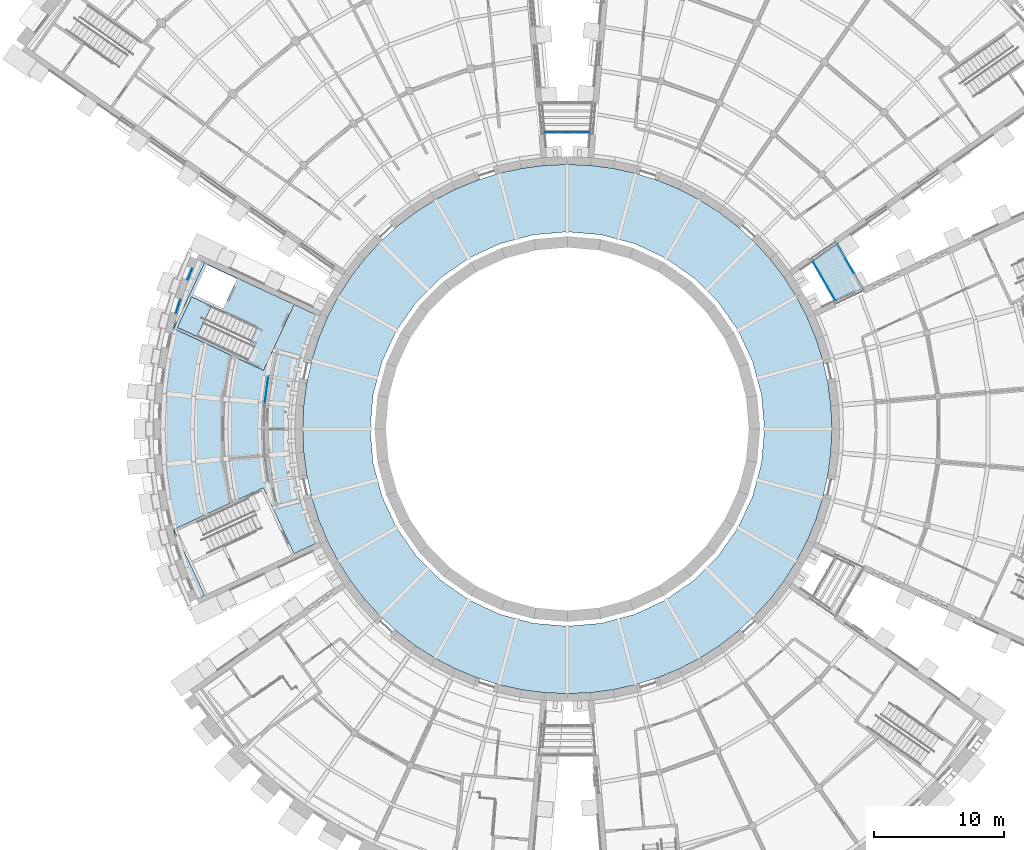
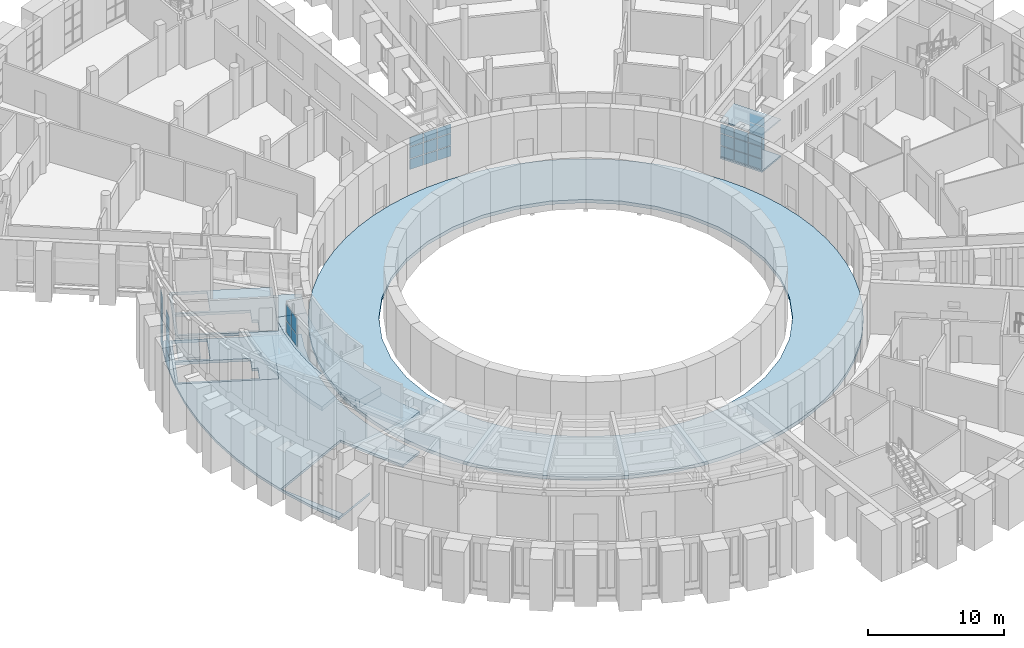
# One storey, part 31 of 66: 34 plates, 10 slabs, 7 elements without a shape of their own.
"""IFC4 building model written with IfcOpenShell, lengths in metres."""

from ifc_helpers import new_model, si_unit, direction, frame, origin, origin_2d, place, context, subcontext, project, spatial, polyline, rectangle, outline, extrude, material, layer, layer_set, type_object, element, aggregate, save


model = new_model("IFC4")

# Units and contexts
model_context = context("Model", 3, precision=1e-05, world=origin(), true_north=direction((0.0, 1.0)))
body_context = subcontext(model_context, "Body", "Model", "MODEL_VIEW")
ifc_project = project(units=[si_unit("LENGTHUNIT", "METRE"), si_unit("AREAUNIT", "SQUARE_METRE"), si_unit("VOLUMEUNIT", "CUBIC_METRE"), si_unit("PLANEANGLEUNIT", "RADIAN"), si_unit("MASSUNIT", "GRAM", prefix="KILO")], contexts=[model_context])

# Site, building, storey
site_placement = place(None, origin())
site = spatial("IfcSite", under=ifc_project, at=site_placement, CompositionType="ELEMENT")
building_placement = place(site_placement, origin())
building = spatial("IfcBuilding", under=site, at=building_placement, Name="Volute Hill Aquarium", CompositionType="ELEMENT")
storey_placement = place(building_placement, frame((0.0, 0.0, 4.60009765625)))
storey = spatial("IfcBuildingStorey", under=building, at=storey_placement, Name="L02", CompositionType="ELEMENT", Elevation=4.60009765625)

# Slab
ifc_material_1 = material(Name="Concrete C30/37", Category="concrete")
ifc_layer_1 = layer(ifc_material_1, 0.14990234375)
ifc_layer_set_1 = layer_set([ifc_layer_1], Name="Bridge deck slab C30/37 150")
slab_type_1 = type_object("IfcSlabType", Name="Bridge deck slab C30/37 150", PredefinedType="FLOOR", material=ifc_layer_set_1)
slab_1_placement = place(storey_placement, frame((0.0, 0.0, -0.150146484375)))
element("IfcSlab", 1, at=slab_1_placement, inside=storey, type_object=slab_type_1, Name="br/SC5/L02/deck", PredefinedType="FLOOR", context=body_context, shape_type="SweptSolid", body=[
    extrude(outline(polyline([(20.642333984375, 9.846435546875), (22.82568359375, 10.864501953125), (20.822021484375, 14.33544921875), (18.848388671875, 12.95361328125), (20.642333984375, 9.846435546875)])), origin(), (0.0, 0.0, 1.0), 0.150146484375),
])

# Curtain wall, plates
ifc_material_2 = material(Name="Aluminium and glass", Category="aluminium")
ifc_layer_2 = layer(ifc_material_2, 0.1201171875)
ifc_layer_set_2 = layer_set([ifc_layer_2], Name="Bridge curtain wall")
curtain_wall_type_1 = type_object("IfcCurtainWallType", Name="Bridge curtain wall", PredefinedType="NOTDEFINED", material=ifc_layer_set_2)
curtain_wall_1_placement = place(storey_placement, origin())
curtain_wall_1 = element("IfcCurtainWall", 2, at=curtain_wall_1_placement, inside=storey, type_object=curtain_wall_type_1, Name="br/SC5/L02/cwa", PredefinedType="NOTDEFINED")
ifc_material_3 = material(Name="Laminated glass", Category="glass")
ifc_layer_3 = layer(ifc_material_3, 0.028076171875)
ifc_layer_set_3 = layer_set([ifc_layer_3], Name="Bridge glass panel 28")
plate_type_1 = type_object("IfcPlateType", Name="Bridge glass panel 28", PredefinedType="CURTAIN_PANEL", material=ifc_layer_set_3)
plate_1_placement = place(storey_placement, frame((20.3896484375, 10.404296875, 0.06005859375), z_axis=(0.0, 0.0, 1.0), x_axis=(-0.500009508239, 0.866019914131, 0.0)))
plate_1 = element("IfcPlate", 3, at=plate_1_placement, type_object=plate_type_1, Name="BR5 panel 1.1", PredefinedType="CURTAIN_PANEL", context=body_context, shape_type="SweptSolid", body=[
    extrude(rectangle(XDim=1.109619140625, YDim=0.028076171875, at=origin_2d()), origin(), (0.0, 0.0, 1.0), 0.909912109375),
])
plate_2_placement = place(storey_placement, frame((20.3896484375, 10.404296875, 1.02978515625), z_axis=(0.0, 0.0, 1.0), x_axis=(-0.500009508239, 0.866019914131, 0.0)))
plate_2 = element("IfcPlate", 4, at=plate_2_placement, type_object=plate_type_1, Name="BR5 panel 1.2", PredefinedType="CURTAIN_PANEL", context=body_context, shape_type="SweptSolid", body=[
    extrude(rectangle(XDim=1.109619140625, YDim=0.028076171875, at=origin_2d()), origin(), (0.0, 0.0, 1.0), 1.0400390625),
])
plate_3_placement = place(storey_placement, frame((20.3896484375, 10.404296875, 2.1298828125), z_axis=(0.0, 0.0, 1.0), x_axis=(-0.500009508239, 0.866019914131, 0.0)))
plate_3 = element("IfcPlate", 5, at=plate_3_placement, type_object=plate_type_1, Name="BR5 panel 1.3", PredefinedType="CURTAIN_PANEL", context=body_context, shape_type="SweptSolid", body=[
    extrude(rectangle(XDim=1.109619140625, YDim=0.028076171875, at=origin_2d()), origin(), (0.0, 0.0, 1.0), 0.81005859375),
])
plate_4_placement = place(storey_placement, frame((19.79736328125, 11.429931640625, 0.06005859375), z_axis=(0.0, 0.0, 1.0), x_axis=(-0.500009508239, 0.866019914131, 0.0)))
plate_4 = element("IfcPlate", 6, at=plate_4_placement, type_object=plate_type_1, Name="BR5 panel 2.1", PredefinedType="CURTAIN_PANEL", context=body_context, shape_type="SweptSolid", body=[
    extrude(rectangle(XDim=1.139404296875, YDim=0.028076171875, at=origin_2d()), origin(), (0.0, 0.0, 1.0), 0.909912109375),
])
plate_5_placement = place(storey_placement, frame((19.79736328125, 11.429931640625, 1.02978515625), z_axis=(0.0, 0.0, 1.0), x_axis=(-0.500009508239, 0.866019914131, 0.0)))
plate_5 = element("IfcPlate", 7, at=plate_5_placement, type_object=plate_type_1, Name="BR5 panel 2.2", PredefinedType="CURTAIN_PANEL", context=body_context, shape_type="SweptSolid", body=[
    extrude(rectangle(XDim=1.139404296875, YDim=0.028076171875, at=origin_2d()), origin(), (0.0, 0.0, 1.0), 1.0400390625),
])
plate_6_placement = place(storey_placement, frame((19.79736328125, 11.429931640625, 2.1298828125), z_axis=(0.0, 0.0, 1.0), x_axis=(-0.500009508239, 0.866019914131, 0.0)))
plate_6 = element("IfcPlate", 8, at=plate_6_placement, type_object=plate_type_1, Name="BR5 panel 2.3", PredefinedType="CURTAIN_PANEL", context=body_context, shape_type="SweptSolid", body=[
    extrude(rectangle(XDim=1.139404296875, YDim=0.028076171875, at=origin_2d()), origin(), (0.0, 0.0, 1.0), 0.81005859375),
])
plate_7_placement = place(storey_placement, frame((19.205078125, 12.455810546875, 0.06005859375), z_axis=(0.0, 0.0, 1.0), x_axis=(-0.500009508239, 0.866019914131, 0.0)))
plate_7 = element("IfcPlate", 9, at=plate_7_placement, type_object=plate_type_1, Name="BR5 panel 3.1", PredefinedType="CURTAIN_PANEL", context=body_context, shape_type="SweptSolid", body=[
    extrude(rectangle(XDim=1.109619140625, YDim=0.028076171875, at=origin_2d()), origin(), (0.0, 0.0, 1.0), 0.909912109375),
])
plate_8_placement = place(storey_placement, frame((19.205078125, 12.455810546875, 1.02978515625), z_axis=(0.0, 0.0, 1.0), x_axis=(-0.500009508239, 0.866019914131, 0.0)))
plate_8 = element("IfcPlate", 10, at=plate_8_placement, type_object=plate_type_1, Name="BR5 panel 3.2", PredefinedType="CURTAIN_PANEL", context=body_context, shape_type="SweptSolid", body=[
    extrude(rectangle(XDim=1.109619140625, YDim=0.028076171875, at=origin_2d()), origin(), (0.0, 0.0, 1.0), 1.0400390625),
])
plate_9_placement = place(storey_placement, frame((19.205078125, 12.455810546875, 2.1298828125), z_axis=(0.0, 0.0, 1.0), x_axis=(-0.500009508239, 0.866019914131, 0.0)))
plate_9 = element("IfcPlate", 11, at=plate_9_placement, type_object=plate_type_1, Name="BR5 panel 3.3", PredefinedType="CURTAIN_PANEL", context=body_context, shape_type="SweptSolid", body=[
    extrude(rectangle(XDim=1.109619140625, YDim=0.028076171875, at=origin_2d()), origin(), (0.0, 0.0, 1.0), 0.81005859375),
])
aggregate(curtain_wall_1, [plate_1, plate_2, plate_3, plate_4, plate_5, plate_6, plate_7, plate_8, plate_9])

curtain_wall_2_placement = place(storey_placement, origin())
curtain_wall_2 = element("IfcCurtainWall", 12, at=curtain_wall_2_placement, inside=storey, type_object=curtain_wall_type_1, Name="br/SC5/L02/cwb", PredefinedType="NOTDEFINED")
plate_10_placement = place(storey_placement, frame((21.771728515625, 12.570068359375, 0.06005859375), z_axis=(0.0, 0.0, 1.0), x_axis=(-0.50000541072, 0.866022279881, 0.0)))
plate_10 = element("IfcPlate", 13, at=plate_10_placement, type_object=plate_type_1, Name="BR5 panel 2.1", PredefinedType="CURTAIN_PANEL", context=body_context, shape_type="SweptSolid", body=[
    extrude(rectangle(XDim=1.2724609375, YDim=0.028076171875, at=origin_2d()), origin(), (0.0, 0.0, 1.0), 0.909912109375),
])
plate_11_placement = place(storey_placement, frame((21.771728515625, 12.570068359375, 1.02978515625), z_axis=(0.0, 0.0, 1.0), x_axis=(-0.50000541072, 0.866022279881, 0.0)))
plate_11 = element("IfcPlate", 14, at=plate_11_placement, type_object=plate_type_1, Name="BR5 panel 2.2", PredefinedType="CURTAIN_PANEL", context=body_context, shape_type="SweptSolid", body=[
    extrude(rectangle(XDim=1.2724609375, YDim=0.028076171875, at=origin_2d()), origin(), (0.0, 0.0, 1.0), 1.0400390625),
])
plate_12_placement = place(storey_placement, frame((21.771728515625, 12.570068359375, 2.1298828125), z_axis=(0.0, 0.0, 1.0), x_axis=(-0.50000541072, 0.866022279881, 0.0)))
plate_12 = element("IfcPlate", 15, at=plate_12_placement, type_object=plate_type_1, Name="BR5 panel 2.3", PredefinedType="CURTAIN_PANEL", context=body_context, shape_type="SweptSolid", body=[
    extrude(rectangle(XDim=1.2724609375, YDim=0.028076171875, at=origin_2d()), origin(), (0.0, 0.0, 1.0), 0.81005859375),
])
plate_13_placement = place(storey_placement, frame((21.113037109375, 13.7109375, 0.06005859375), z_axis=(0.0, 0.0, 1.0), x_axis=(-0.50000541072, 0.866022279881, 0.0)))
plate_13 = element("IfcPlate", 16, at=plate_13_placement, type_object=plate_type_1, Name="BR5 panel 3.1", PredefinedType="CURTAIN_PANEL", context=body_context, shape_type="SweptSolid", body=[
    extrude(rectangle(XDim=1.242431640625, YDim=0.028076171875, at=origin_2d()), origin(), (0.0, 0.0, 1.0), 0.909912109375),
])
aggregate(curtain_wall_2, [plate_10, plate_11, plate_12, plate_13])

curtain_wall_3_placement = place(storey_placement, origin())
curtain_wall_3 = element("IfcCurtainWall", 17, at=curtain_wall_3_placement, inside=storey, type_object=curtain_wall_type_1, Name="br/SC6/L02/cwa", PredefinedType="NOTDEFINED")
plate_14_placement = place(storey_placement, frame((1.1845703125, 22.860107421875, 0.06005859375), z_axis=(0.0, 0.0, 1.0), x_axis=(-1.0, 0.0, 0.0)))
plate_14 = element("IfcPlate", 18, at=plate_14_placement, type_object=plate_type_1, Name="BR5 panel 1.1", PredefinedType="CURTAIN_PANEL", context=body_context, shape_type="SweptSolid", body=[
    extrude(rectangle(XDim=1.109375, YDim=0.028076171875, at=origin_2d()), origin(), (0.0, 0.0, 1.0), 0.909912109375),
])
plate_15_placement = place(storey_placement, frame((1.1845703125, 22.860107421875, 1.02978515625), z_axis=(0.0, 0.0, 1.0), x_axis=(-1.0, 0.0, 0.0)))
plate_15 = element("IfcPlate", 19, at=plate_15_placement, type_object=plate_type_1, Name="BR5 panel 1.2", PredefinedType="CURTAIN_PANEL", context=body_context, shape_type="SweptSolid", body=[
    extrude(rectangle(XDim=1.109375, YDim=0.028076171875, at=origin_2d()), origin(), (0.0, 0.0, 1.0), 1.0400390625),
])
plate_16_placement = place(storey_placement, frame((1.1845703125, 22.860107421875, 2.1298828125), z_axis=(0.0, 0.0, 1.0), x_axis=(-1.0, 0.0, 0.0)))
plate_16 = element("IfcPlate", 20, at=plate_16_placement, type_object=plate_type_1, Name="BR5 panel 1.3", PredefinedType="CURTAIN_PANEL", context=body_context, shape_type="SweptSolid", body=[
    extrude(rectangle(XDim=1.109375, YDim=0.028076171875, at=origin_2d()), origin(), (0.0, 0.0, 1.0), 0.81005859375),
])
plate_17_placement = place(storey_placement, frame((0.0, 22.860107421875, 0.06005859375), z_axis=(0.0, 0.0, 1.0), x_axis=(-1.0, 0.0, 0.0)))
plate_17 = element("IfcPlate", 21, at=plate_17_placement, type_object=plate_type_1, Name="BR5 panel 2.1", PredefinedType="CURTAIN_PANEL", context=body_context, shape_type="SweptSolid", body=[
    extrude(rectangle(XDim=1.139404296875, YDim=0.028076171875, at=origin_2d()), origin(), (0.0, 0.0, 1.0), 0.909912109375),
])
plate_18_placement = place(storey_placement, frame((0.0, 22.860107421875, 1.02978515625), z_axis=(0.0, 0.0, 1.0), x_axis=(-1.0, 0.0, 0.0)))
plate_18 = element("IfcPlate", 22, at=plate_18_placement, type_object=plate_type_1, Name="BR5 panel 2.2", PredefinedType="CURTAIN_PANEL", context=body_context, shape_type="SweptSolid", body=[
    extrude(rectangle(XDim=1.139404296875, YDim=0.028076171875, at=origin_2d()), origin(), (0.0, 0.0, 1.0), 1.0400390625),
])
plate_19_placement = place(storey_placement, frame((0.0, 22.860107421875, 2.1298828125), z_axis=(0.0, 0.0, 1.0), x_axis=(-1.0, 0.0, 0.0)))
plate_19 = element("IfcPlate", 23, at=plate_19_placement, type_object=plate_type_1, Name="BR5 panel 2.3", PredefinedType="CURTAIN_PANEL", context=body_context, shape_type="SweptSolid", body=[
    extrude(rectangle(XDim=1.139404296875, YDim=0.028076171875, at=origin_2d()), origin(), (0.0, 0.0, 1.0), 0.81005859375),
])
plate_20_placement = place(storey_placement, frame((-1.1845703125, 22.860107421875, 0.06005859375), z_axis=(0.0, 0.0, 1.0), x_axis=(-1.0, 0.0, 0.0)))
plate_20 = element("IfcPlate", 24, at=plate_20_placement, type_object=plate_type_1, Name="BR5 panel 3.1", PredefinedType="CURTAIN_PANEL", context=body_context, shape_type="SweptSolid", body=[
    extrude(rectangle(XDim=1.109375, YDim=0.028076171875, at=origin_2d()), origin(), (0.0, 0.0, 1.0), 0.909912109375),
])
plate_21_placement = place(storey_placement, frame((-1.1845703125, 22.860107421875, 1.02978515625), z_axis=(0.0, 0.0, 1.0), x_axis=(-1.0, 0.0, 0.0)))
plate_21 = element("IfcPlate", 25, at=plate_21_placement, type_object=plate_type_1, Name="BR5 panel 3.2", PredefinedType="CURTAIN_PANEL", context=body_context, shape_type="SweptSolid", body=[
    extrude(rectangle(XDim=1.109375, YDim=0.028076171875, at=origin_2d()), origin(), (0.0, 0.0, 1.0), 1.0400390625),
])
plate_22_placement = place(storey_placement, frame((-1.1845703125, 22.860107421875, 2.1298828125), z_axis=(0.0, 0.0, 1.0), x_axis=(-1.0, 0.0, 0.0)))
plate_22 = element("IfcPlate", 26, at=plate_22_placement, type_object=plate_type_1, Name="BR5 panel 3.3", PredefinedType="CURTAIN_PANEL", context=body_context, shape_type="SweptSolid", body=[
    extrude(rectangle(XDim=1.109375, YDim=0.028076171875, at=origin_2d()), origin(), (0.0, 0.0, 1.0), 0.81005859375),
])
aggregate(curtain_wall_3, [plate_14, plate_15, plate_16, plate_17, plate_18, plate_19, plate_20, plate_21, plate_22])

# Slabs
ifc_material_4 = material(Name="Concrete C30/37", Category="concrete")
ifc_layer_4 = layer(ifc_material_4, 0.1201171875)
ifc_layer_set_4 = layer_set([ifc_layer_4], Name="Bridge roof slab C30/37 120")
slab_type_2 = type_object("IfcSlabType", Name="Bridge roof slab C30/37 120", PredefinedType="ROOF", material=ifc_layer_set_4)
slab_2_placement = place(storey_placement, frame((0.0, 0.0, 3.15185546875)))
element("IfcSlab", 27, at=slab_2_placement, inside=storey, type_object=slab_type_2, Name="br/SC5/L02/roof", PredefinedType="ROOF", context=body_context, shape_type="SweptSolid", body=[
    extrude(outline(polyline([(20.642333984375, 9.846435546875), (22.82568359375, 10.864501953125), (20.822021484375, 14.33544921875), (18.848388671875, 12.95361328125), (20.642333984375, 9.846435546875)])), origin(), (0.0, 0.0, 1.0), 0.1201171875),
])
ifc_material_5 = material(Name="Concrete C30/37", Category="concrete")
ifc_layer_5 = layer(ifc_material_5, 0.25)
ifc_layer_set_5 = layer_set([ifc_layer_5], Name="Core floor slab 250")
slab_type_3 = type_object("IfcSlabType", Name="Core floor slab 250", PredefinedType="FLOOR", material=ifc_layer_set_5)
for number, where, name in (
    (28, (0.0, 0.0, -0.25), "cs/S1-A/L02"),
    (29, (0.0, 0.0, 4.06982421875), "cs/S1-A/roof"),
):
    element("IfcSlab", number, at=place(storey_placement, frame(where)), inside=storey, type_object=slab_type_3, Name=name, PredefinedType="FLOOR", context=body_context, shape_type="SweptSolid", body=[
        extrude(outline(polyline([(-21.0654296875, 9.602294921875), (-27.95361328125, 12.814208984375), (-30.3203125, 7.739013671875), (-23.43212890625, 4.527099609375), (-21.0654296875, 9.602294921875)]), holes=[polyline([(-26.5146484375, 9.2744140625), (-28.87109375, 10.373291015625), (-27.79345703125, 12.684326171875), (-25.43701171875, 11.585693359375), (-26.5146484375, 9.2744140625)]), polyline([(-24.47509765625, 6.668212890625), (-24.06884765625, 6.47900390625), (-24.618408203125, 5.30078125), (-30.054443359375, 7.835693359375), (-28.95556640625, 10.192138671875), (-23.925537109375, 7.846435546875), (-24.47509765625, 6.668212890625)])]), origin(), (0.0, 0.0, 1.0), 0.25),
    ])

# Curtain wall, plates
ifc_material_6 = material(Name="Aluminium", Category="aluminium")
ifc_layer_6 = layer(ifc_material_6, 0.25)
ifc_layer_set_6 = layer_set([ifc_layer_6], Name="Curtain wall niche S1 module 993")
curtain_wall_type_2 = type_object("IfcCurtainWallType", Name="Curtain wall niche S1 module 993", PredefinedType="NOTDEFINED", material=ifc_layer_set_6)
curtain_wall_4_placement = place(storey_placement, origin())
curtain_wall_4 = element("IfcCurtainWall", 30, at=curtain_wall_4_placement, inside=storey, type_object=curtain_wall_type_2, Name="Curtain wall CW S1 L02 1", PredefinedType="NOTDEFINED")
ifc_material_7 = material(Name="Glass, low-iron laminated", Category="glass")
ifc_layer_7 = layer(ifc_material_7, 0.031982421875)
ifc_layer_set_7 = layer_set([ifc_layer_7], Name="Curtain wall glass panel S1 32")
plate_type_2 = type_object("IfcPlateType", Name="Curtain wall glass panel S1 32", PredefinedType="CURTAIN_PANEL", material=ifc_layer_set_7)
plate_23_placement = place(storey_placement, frame((-29.08935546875, 11.94091796875, 0.5), z_axis=(0.0, 0.0, 1.0), x_axis=(-0.382669702059, -0.923885219671, 0.0)))
plate_23 = element("IfcPlate", 31, at=plate_23_placement, type_object=plate_type_2, Name="CW panel 1.1", PredefinedType="CURTAIN_PANEL", context=body_context, shape_type="SweptSolid", body=[
    extrude(rectangle(XDim=0.892822265625, YDim=0.031982421875, at=origin_2d()), origin(), (0.0, 0.0, 1.0), 1.114990234375),
])
plate_24_placement = place(storey_placement, frame((-29.08935546875, 11.94091796875, 1.6650390625), z_axis=(0.0, 0.0, 1.0), x_axis=(-0.382669702059, -0.923885219671, 0.0)))
plate_24 = element("IfcPlate", 32, at=plate_24_placement, type_object=plate_type_2, Name="CW panel 1.2", PredefinedType="CURTAIN_PANEL", context=body_context, shape_type="SweptSolid", body=[
    extrude(rectangle(XDim=0.892822265625, YDim=0.031982421875, at=origin_2d()), origin(), (0.0, 0.0, 1.0), 1.139892578125),
])
plate_25_placement = place(storey_placement, frame((-29.08935546875, 11.94091796875, 2.85498046875), z_axis=(0.0, 0.0, 1.0), x_axis=(-0.382669702059, -0.923885219671, 0.0)))
plate_25 = element("IfcPlate", 33, at=plate_25_placement, type_object=plate_type_2, Name="CW panel 1.3", PredefinedType="CURTAIN_PANEL", context=body_context, shape_type="SweptSolid", body=[
    extrude(rectangle(XDim=0.892822265625, YDim=0.031982421875, at=origin_2d()), origin(), (0.0, 0.0, 1.0), 1.139892578125),
])
plate_26_placement = place(storey_placement, frame((-29.08935546875, 11.94091796875, 4.044921875), z_axis=(0.0, 0.0, 1.0), x_axis=(-0.382669702059, -0.923885219671, 0.0)))
plate_26 = element("IfcPlate", 34, at=plate_26_placement, type_object=plate_type_2, Name="CW panel 1.4", PredefinedType="CURTAIN_PANEL", context=body_context, shape_type="SweptSolid", body=[
    extrude(rectangle(XDim=0.892822265625, YDim=0.031982421875, at=origin_2d()), origin(), (0.0, 0.0, 1.0), 1.114990234375),
])
aggregate(curtain_wall_4, [plate_23, plate_24, plate_25, plate_26])

ifc_material_8 = material(Name="Aluminium", Category="aluminium")
ifc_layer_8 = layer(ifc_material_8, 0.25)
ifc_layer_set_8 = layer_set([ifc_layer_8], Name="Curtain wall niche S1 module 1193")
curtain_wall_type_3 = type_object("IfcCurtainWallType", Name="Curtain wall niche S1 module 1193", PredefinedType="NOTDEFINED", material=ifc_layer_set_8)
curtain_wall_5_placement = place(storey_placement, origin())
curtain_wall_5 = element("IfcCurtainWall", 35, at=curtain_wall_5_placement, inside=storey, type_object=curtain_wall_type_3, Name="Curtain wall CW S1 L02 2", PredefinedType="NOTDEFINED")
plate_27_placement = place(storey_placement, frame((-29.9892578125, 9.45556640625, 0.5), z_axis=(0.0, 0.0, 1.0), x_axis=(-0.300702070227, -0.953718126577, 0.0)))
plate_27 = element("IfcPlate", 36, at=plate_27_placement, type_object=plate_type_2, Name="CW panel 1.1", PredefinedType="CURTAIN_PANEL", context=body_context, shape_type="SweptSolid", body=[
    extrude(rectangle(XDim=1.093017578125, YDim=0.031982421875, at=origin_2d()), origin(), (0.0, 0.0, 1.0), 1.114990234375),
])
plate_28_placement = place(storey_placement, frame((-29.9892578125, 9.45556640625, 1.6650390625), z_axis=(0.0, 0.0, 1.0), x_axis=(-0.300702070227, -0.953718126577, 0.0)))
plate_28 = element("IfcPlate", 37, at=plate_28_placement, type_object=plate_type_2, Name="CW panel 1.2", PredefinedType="CURTAIN_PANEL", context=body_context, shape_type="SweptSolid", body=[
    extrude(rectangle(XDim=1.093017578125, YDim=0.031982421875, at=origin_2d()), origin(), (0.0, 0.0, 1.0), 1.139892578125),
])
plate_29_placement = place(storey_placement, frame((-29.9892578125, 9.45556640625, 2.85498046875), z_axis=(0.0, 0.0, 1.0), x_axis=(-0.300702070227, -0.953718126577, 0.0)))
plate_29 = element("IfcPlate", 38, at=plate_29_placement, type_object=plate_type_2, Name="CW panel 1.3", PredefinedType="CURTAIN_PANEL", context=body_context, shape_type="SweptSolid", body=[
    extrude(rectangle(XDim=1.093017578125, YDim=0.031982421875, at=origin_2d()), origin(), (0.0, 0.0, 1.0), 1.139892578125),
])
plate_30_placement = place(storey_placement, frame((-29.9892578125, 9.45556640625, 4.044921875), z_axis=(0.0, 0.0, 1.0), x_axis=(-0.300702070227, -0.953718126577, 0.0)))
plate_30 = element("IfcPlate", 39, at=plate_30_placement, type_object=plate_type_2, Name="CW panel 1.4", PredefinedType="CURTAIN_PANEL", context=body_context, shape_type="SweptSolid", body=[
    extrude(rectangle(XDim=1.093017578125, YDim=0.031982421875, at=origin_2d()), origin(), (0.0, 0.0, 1.0), 1.114990234375),
])
aggregate(curtain_wall_5, [plate_27, plate_28, plate_29, plate_30])

ifc_material_9 = material(Name="Aluminium", Category="aluminium")
ifc_layer_9 = layer(ifc_material_9, 0.1201171875)
ifc_layer_set_9 = layer_set([ifc_layer_9], Name="Curtain wall S1 pavilion module 1021")
curtain_wall_type_4 = type_object("IfcCurtainWallType", Name="Curtain wall S1 pavilion module 1021", PredefinedType="NOTDEFINED", material=ifc_layer_set_9)
curtain_wall_6_placement = place(storey_placement, origin())
curtain_wall_6 = element("IfcCurtainWall", 40, at=curtain_wall_6_placement, inside=storey, type_object=curtain_wall_type_4, Name="Curtain wall CW S1 pavilion gp0", PredefinedType="NOTDEFINED")
ifc_material_10 = material(Name="Glass, low-iron laminated", Category="glass")
ifc_layer_10 = layer(ifc_material_10, 0.028076171875)
ifc_layer_set_10 = layer_set([ifc_layer_10], Name="Curtain wall glass panel pavilion 28")
plate_type_3 = type_object("IfcPlateType", Name="Curtain wall glass panel pavilion 28", PredefinedType="CURTAIN_PANEL", material=ifc_layer_set_10)
plate_31_placement = place(storey_placement, frame((-23.11279296875, 3.544921875, 4.369873046875), z_axis=(0.0, 0.0, 1.0), x_axis=(-0.13054321068, -0.991442620702, 0.0)))
plate_31 = element("IfcPlate", 41, at=plate_31_placement, type_object=plate_type_3, Name="Panel S1 pavilion 1.1", PredefinedType="CURTAIN_PANEL", context=body_context, shape_type="SweptSolid", body=[
    extrude(rectangle(XDim=0.94580078125, YDim=0.028076171875, at=origin_2d()), origin(), (0.0, 0.0, 1.0), 1.02490234375),
])
plate_32_placement = place(storey_placement, frame((-23.06494140625, 4.015625, 5.44482421875), z_axis=(-0.99143407694, 0.130608081992, 0.0), x_axis=(-0.130608081992, -0.99143407694, 0.0)))
plate_32 = element("IfcPlate", 42, at=plate_32_placement, type_object=plate_type_3, Name="Panel S1 pavilion 1.2", PredefinedType="CURTAIN_PANEL", context=body_context, shape_type="SweptSolid", body=[
    extrude(outline(polyline([(0.0, 0.0), (0.945846186283072, 0.0), (0.945846186283072, 1.425048828125), (0.0, 1.425048828125), (0.0, 0.0)])), origin(), (0.0, 0.0, -1.0), 0.028076171875),
])
plate_33_placement = place(storey_placement, frame((-23.24609375, 2.532958984375, 4.369873046875), z_axis=(0.0, 0.0, 1.0), x_axis=(-0.13054321068, -0.991442620702, 0.0)))
plate_33 = element("IfcPlate", 43, at=plate_33_placement, type_object=plate_type_3, Name="Panel S1 pavilion 2.1", PredefinedType="CURTAIN_PANEL", context=body_context, shape_type="SweptSolid", body=[
    extrude(rectangle(XDim=0.995849609375, YDim=0.028076171875, at=origin_2d()), origin(), (0.0, 0.0, 1.0), 1.02490234375),
])
plate_34_placement = place(storey_placement, frame((-23.19482421875, 3.0283203125, 5.44482421875), z_axis=(-0.991425900992, 0.130670129879, 0.0), x_axis=(-0.130670129879, -0.991425900992, 0.0)))
plate_34 = element("IfcPlate", 44, at=plate_34_placement, type_object=plate_type_3, Name="Panel S1 pavilion 2.2", PredefinedType="CURTAIN_PANEL", context=body_context, shape_type="SweptSolid", body=[
    extrude(outline(polyline([(0.0, 0.0), (0.9958431452237188, 0.0), (0.9958431452237188, 1.425048828125), (0.0, 1.425048828125), (0.0, 0.0)])), origin(), (0.0, 0.0, -1.0), 0.028076171875),
])
aggregate(curtain_wall_6, [plate_31, plate_32, plate_33, plate_34])

# Slabs
ifc_material_11 = material(Name="Concrete C35/45", Category="concrete")
ifc_layer_11 = layer(ifc_material_11, 0.219970703125)
ifc_layer_set_11 = layer_set([ifc_layer_11], Name="Floor slab 220 C35/45")
slab_type_4 = type_object("IfcSlabType", Name="Floor slab 220 C35/45", PredefinedType="FLOOR", material=ifc_layer_set_11)
slab_3_placement = place(storey_placement, frame((0.0, 0.0, -0.22021484375)))
element("IfcSlab", 45, at=slab_3_placement, inside=storey, type_object=slab_type_4, Name="fl/S1/L02/1", PredefinedType="FLOOR", context=body_context, shape_type="SweptSolid", body=[
    extrude(outline(polyline([(-29.45947265625, -10.722412109375), (-30.28173828125, -8.114013671875), (-30.873779296875, -5.44384765625), (-31.230712890625, -2.732421875), (-31.35009765625, 0.0), (-31.230712890625, 2.732421875), (-30.873779296875, 5.44384765625), (-30.28173828125, 8.114013671875), (-29.45947265625, 10.722412109375), (-28.4892578125, 13.064208984375), (-24.94482421875, 11.411376953125), (-27.95361328125, 12.814208984375), (-30.3203125, 7.739013671875), (-23.43212890625, 4.527099609375), (-21.0654296875, 9.602294921875), (-19.109130859375, 8.68994140625), (-19.7333984375, 7.182373046875), (-20.284423828125, 5.435302734375), (-20.680908203125, 3.646484375), (-20.920166015625, 1.830322265625), (-21.0, 0.0), (-20.920166015625, -1.830322265625), (-20.680908203125, -3.646484375), (-20.284423828125, -5.435302734375), (-19.7333984375, -7.182373046875), (-19.109130859375, -8.68994140625), (-21.0654296875, -9.602294921875), (-23.43212890625, -4.527099609375), (-30.3203125, -7.739013671875), (-27.95361328125, -12.814208984375), (-24.94482421875, -11.411376953125), (-28.4892578125, -13.064208984375), (-29.45947265625, -10.722412109375)])), origin(), (0.0, 0.0, 1.0), 0.22021484375),
])
ifc_material_12 = material(Name="Concrete C30/37", Category="concrete")
ifc_layer_12 = layer(ifc_material_12, 0.719970703125)
ifc_layer_set_12 = layer_set([ifc_layer_12], Name="Pavilion plinth slab 720")
slab_type_5 = type_object("IfcSlabType", Name="Pavilion plinth slab 720", PredefinedType="FLOOR", material=ifc_layer_set_12)
slab_4_placement = place(storey_placement, frame((0.0, 0.0, 3.599853515625)))
element("IfcSlab", 46, at=slab_4_placement, inside=storey, type_object=slab_type_5, Name="tr/S1/L02/pavilion-plinth", PredefinedType="FLOOR", context=body_context, shape_type="SweptSolid", body=[
    extrude(outline(polyline([(-23.229248046875, -4.095947265625), (-23.497802734375, -2.055908203125), (-23.58740234375, 0.0), (-23.497802734375, 2.055908203125), (-23.229248046875, 4.095947265625), (-22.863037109375, 5.74755859375), (-22.7060546875, 6.083984375), (-20.52587890625, 5.5), (-20.92724609375, 3.68994140625), (-21.169189453125, 1.85205078125), (-21.25, 0.0), (-21.169189453125, -1.85205078125), (-20.92724609375, -3.68994140625), (-20.52587890625, -5.5), (-22.7060546875, -6.083984375), (-22.863037109375, -5.74755859375), (-23.229248046875, -4.095947265625)])), origin(), (0.0, 0.0, 1.0), 0.719970703125),
])
ifc_material_13 = material(Name="Concrete C35/45", Category="concrete")
ifc_layer_13 = layer(ifc_material_13, 0.300048828125)
ifc_layer_set_13 = layer_set([ifc_layer_13], Name="Ring gallery slab C35/45 300")
slab_type_6 = type_object("IfcSlabType", Name="Ring gallery slab C35/45 300", PredefinedType="FLOOR", material=ifc_layer_set_13)
slab_5_placement = place(storey_placement, frame((0.0, 0.0, -0.300048828125)))
element("IfcSlab", 47, at=slab_5_placement, inside=storey, type_object=slab_type_6, Name="fl/DR/L02/1", PredefinedType="FLOOR", context=body_context, shape_type="SweptSolid", body=[
    extrude(outline(polyline([(20.39990234375, 0.0), (20.322509765625, 1.778076171875), (20.090087890625, 3.54248046875), (19.704833984375, 5.27978515625), (19.169677734375, 6.977294921875), (18.48876953125, 8.621337890625), (17.6669921875, 10.199951171875), (16.710693359375, 11.700927734375), (15.627197265625, 13.11279296875), (14.425048828125, 14.425048828125), (13.11279296875, 15.627197265625), (11.700927734375, 16.710693359375), (10.199951171875, 17.6669921875), (8.621337890625, 18.48876953125), (6.977294921875, 19.169677734375), (5.27978515625, 19.704833984375), (3.54248046875, 20.090087890625), (1.778076171875, 20.322509765625), (0.0, 20.39990234375), (-1.778076171875, 20.322509765625), (-3.54248046875, 20.090087890625), (-5.27978515625, 19.704833984375), (-6.977294921875, 19.169677734375), (-8.621337890625, 18.48876953125), (-10.199951171875, 17.6669921875), (-11.700927734375, 16.710693359375), (-13.11279296875, 15.627197265625), (-14.425048828125, 14.425048828125), (-15.627197265625, 13.11279296875), (-16.710693359375, 11.700927734375), (-17.6669921875, 10.199951171875), (-18.48876953125, 8.621337890625), (-19.169677734375, 6.977294921875), (-19.704833984375, 5.27978515625), (-20.090087890625, 3.54248046875), (-20.322509765625, 1.778076171875), (-20.39990234375, 0.0), (-20.322509765625, -1.778076171875), (-20.090087890625, -3.54248046875), (-19.704833984375, -5.27978515625), (-19.169677734375, -6.977294921875), (-18.48876953125, -8.621337890625), (-17.6669921875, -10.199951171875), (-16.710693359375, -11.700927734375), (-15.627197265625, -13.11279296875), (-14.425048828125, -14.425048828125), (-13.11279296875, -15.627197265625), (-11.700927734375, -16.710693359375), (-10.199951171875, -17.6669921875), (-8.621337890625, -18.48876953125), (-6.977294921875, -19.169677734375), (-5.27978515625, -19.704833984375), (-3.54248046875, -20.090087890625), (-1.778076171875, -20.322509765625), (0.0, -20.39990234375), (1.778076171875, -20.322509765625), (3.54248046875, -20.090087890625), (5.27978515625, -19.704833984375), (6.977294921875, -19.169677734375), (8.621337890625, -18.48876953125), (10.199951171875, -17.6669921875), (11.700927734375, -16.710693359375), (13.11279296875, -15.627197265625), (14.425048828125, -14.425048828125), (15.627197265625, -13.11279296875), (16.710693359375, -11.700927734375), (17.6669921875, -10.199951171875), (18.48876953125, -8.621337890625), (19.169677734375, -6.977294921875), (19.704833984375, -5.27978515625), (20.090087890625, -3.54248046875), (20.322509765625, -1.778076171875), (20.39990234375, 0.0)]), holes=[polyline([(14.968994140625, -2.639404296875), (14.283203125, -5.19873046875), (13.16357421875, -7.60009765625), (11.643798828125, -9.7705078125), (9.7705078125, -11.643798828125), (7.60009765625, -13.16357421875), (5.19873046875, -14.283203125), (2.639404296875, -14.968994140625), (0.0, -15.199951171875), (-2.639404296875, -14.968994140625), (-5.19873046875, -14.283203125), (-7.60009765625, -13.16357421875), (-9.7705078125, -11.643798828125), (-11.643798828125, -9.7705078125), (-13.16357421875, -7.60009765625), (-14.283203125, -5.19873046875), (-14.968994140625, -2.639404296875), (-15.199951171875, 0.0), (-14.968994140625, 2.639404296875), (-14.283203125, 5.19873046875), (-13.16357421875, 7.60009765625), (-11.643798828125, 9.7705078125), (-9.7705078125, 11.643798828125), (-7.60009765625, 13.16357421875), (-5.19873046875, 14.283203125), (-2.639404296875, 14.968994140625), (0.0, 15.199951171875), (2.639404296875, 14.968994140625), (5.19873046875, 14.283203125), (7.60009765625, 13.16357421875), (9.7705078125, 11.643798828125), (11.643798828125, 9.7705078125), (13.16357421875, 7.60009765625), (14.283203125, 5.19873046875), (14.968994140625, 2.639404296875), (15.199951171875, 0.0), (14.968994140625, -2.639404296875)])]), origin(), (0.0, 0.0, 1.0), 0.300048828125),
])

# Stair, slab
ifc_material_14 = material(Name="Concrete C35/45", Category="concrete")
stair_type = type_object("IfcStairType", Name="Stair C35/45", PredefinedType="HALF_TURN_STAIR", material=ifc_material_14)
stair_placement = place(storey_placement, origin())
stair = element("IfcStair", 48, at=stair_placement, inside=storey, type_object=stair_type, Name="ST/S1-A/L02", PredefinedType="HALF_TURN_STAIR")
ifc_material_15 = material(Name="Concrete C35/45", Category="concrete")
ifc_layer_14 = layer(ifc_material_15, 0.199951171875)
ifc_layer_set_14 = layer_set([ifc_layer_14], Name="Stair landing C35/45 200")
slab_type_7 = type_object("IfcSlabType", Name="Stair landing C35/45 200", PredefinedType="LANDING", material=ifc_layer_set_14)
slab_6_placement = place(storey_placement, frame((0.0, 0.0, 1.9599609375)))
slab_6 = element("IfcSlab", 49, at=slab_6_placement, type_object=slab_type_7, Name="ST-S1-A-02 landing 1", PredefinedType="LANDING", context=body_context, shape_type="SweptSolid", body=[
    extrude(outline(polyline([(-27.43115234375, 9.481201171875), (-28.95556640625, 10.192138671875), (-30.054443359375, 7.835693359375), (-28.530029296875, 7.124755859375), (-27.43115234375, 9.481201171875)])), origin(), (0.0, 0.0, 1.0), 0.199951171875),
])
aggregate(stair, [slab_6])

# Slabs
ifc_material_16 = material(Name="Concrete C30/37", Category="concrete")
ifc_layer_15 = layer(ifc_material_16, 0.300048828125)
ifc_layer_set_15 = layer_set([ifc_layer_15], Name="Terrace slab 300 C30/37")
slab_type_8 = type_object("IfcSlabType", Name="Terrace slab 300 C30/37", PredefinedType="ROOF", material=ifc_layer_set_15)
slab_7_placement = place(storey_placement, frame((0.0, 0.0, 3.2998046875)))
element("IfcSlab", 50, at=slab_7_placement, inside=storey, type_object=slab_type_8, Name="tr/S1/L02/1.1", PredefinedType="ROOF", context=body_context, shape_type="SweptSolid", body=[
    extrude(outline(polyline([(-23.229248046875, -4.095947265625), (-23.497802734375, -2.055908203125), (-23.58740234375, 0.0), (-23.497802734375, 2.055908203125), (-23.229248046875, 4.095947265625), (-22.863037109375, 5.74755859375), (-21.0654296875, 9.602294921875), (-19.109130859375, 8.68994140625), (-19.7333984375, 7.182373046875), (-20.284423828125, 5.435302734375), (-20.680908203125, 3.646484375), (-20.920166015625, 1.830322265625), (-21.0, 0.0), (-20.920166015625, -1.830322265625), (-20.680908203125, -3.646484375), (-20.284423828125, -5.435302734375), (-19.7333984375, -7.182373046875), (-19.109130859375, -8.68994140625), (-21.0654296875, -9.602294921875), (-22.863037109375, -5.74755859375), (-23.229248046875, -4.095947265625)])), origin(), (0.0, 0.0, 1.0), 0.300048828125),
])
ifc_material_17 = material(Name="Concrete C30/37", Category="concrete")
ifc_layer_16 = layer(ifc_material_17, 0.360107421875)
ifc_layer_set_16 = layer_set([ifc_layer_16], Name="Terrace slab 360 C30/37")
slab_type_9 = type_object("IfcSlabType", Name="Terrace slab 360 C30/37", PredefinedType="ROOF", material=ifc_layer_set_16)
slab_8_placement = place(storey_placement, frame((0.0, 0.0, 3.9599609375)))
element("IfcSlab", 51, at=slab_8_placement, inside=storey, type_object=slab_type_9, Name="tr/S1/L02/2.1", PredefinedType="ROOF", context=body_context, shape_type="SweptSolid", body=[
    extrude(outline(polyline([(-25.77734375, -4.545166015625), (-26.075439453125, -2.28125), (-26.175048828125, 0.0), (-26.075439453125, 2.28125), (-25.77734375, 4.545166015625), (-25.561279296875, 5.519775390625), (-23.43212890625, 4.527099609375), (-22.863037109375, 5.74755859375), (-23.229248046875, 4.095947265625), (-23.497802734375, 2.055908203125), (-23.58740234375, 0.0), (-23.497802734375, -2.055908203125), (-23.229248046875, -4.095947265625), (-22.863037109375, -5.74755859375), (-23.43212890625, -4.527099609375), (-25.561279296875, -5.519775390625), (-25.77734375, -4.545166015625)])), origin(), (0.0, 0.0, 1.0), 0.35986328125),
])

save(model, "model.ifc")
